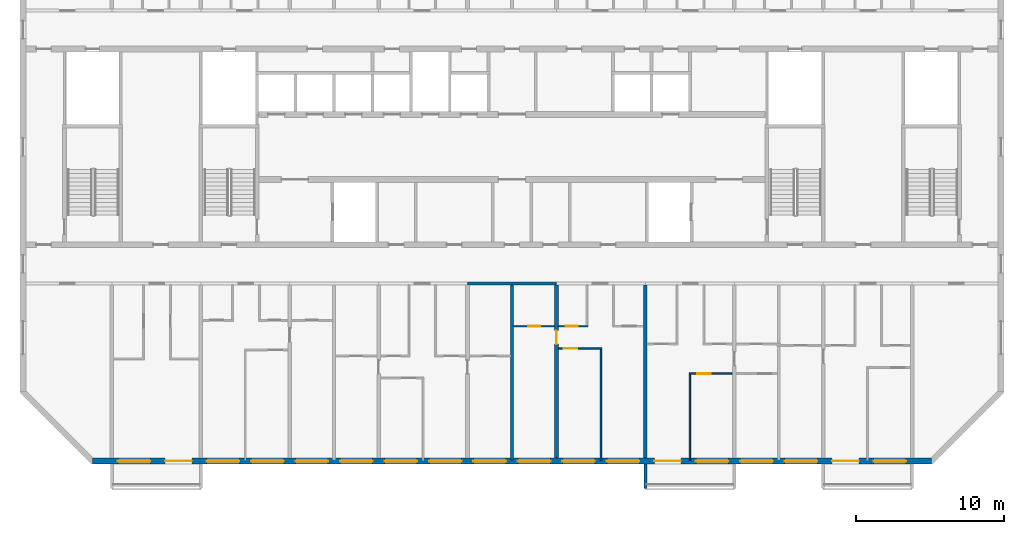
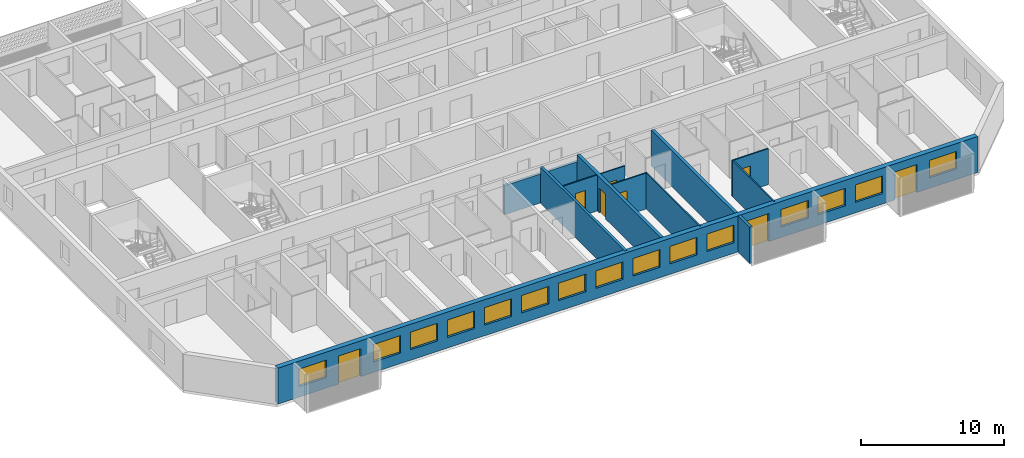
# One storey, part 4 of 28: 15 windows, 12 walls, 8 doors, 23 openings.
"""IFC4 building model written with IfcOpenShell, lengths in metres."""

from ifc_helpers import new_model, si_unit, direction, frame, frame_2d, origin, place, context, subcontext, project, spatial, polyline, rectangle, outline, extrude, source, transform, mapped, material, layer, layer_set, type_object, element, fill, save


model = new_model("IFC4")

# Units and contexts
model_context = context("Model", 3, precision=1e-05, world=origin(), true_north=direction((0.0, 1.0)))
body_context = subcontext(model_context, "Body", "Model", "MODEL_VIEW")
ifc_project = project(units=[si_unit("LENGTHUNIT", "METRE"), si_unit("AREAUNIT", "SQUARE_METRE"), si_unit("VOLUMEUNIT", "CUBIC_METRE"), si_unit("PLANEANGLEUNIT", "RADIAN"), si_unit("MASSUNIT", "GRAM", prefix="KILO")], contexts=[model_context])

# Site, building, storey
site_placement = place(None, origin())
site = spatial("IfcSite", under=ifc_project, at=site_placement, CompositionType="ELEMENT")
building_placement = place(site_placement, origin())
building = spatial("IfcBuilding", under=site, at=building_placement, Name="Poui Terraces", CompositionType="ELEMENT")
storey_placement = place(building_placement, frame((0.0, 0.0, 181.800048828125)))
storey = spatial("IfcBuildingStorey", under=building, at=storey_placement, Name="L50", CompositionType="ELEMENT", Elevation=181.800048828125)

# Wall
ifc_material_1 = material(Name="Concrete 50 MPa", Category="concrete")
ifc_layer_1 = layer(ifc_material_1, 0.199951171875)
ifc_layer_set_1 = layer_set([ifc_layer_1], Name="Concrete 50 MPa")
wall_type_1 = type_object("IfcWallType", Name="CORRIDOR WALL 200 50MPa", PredefinedType="SHEAR", material=ifc_layer_set_1)
wall_1_placement = place(storey_placement, frame((48.0, 12.0, 0.0), z_axis=(0.0, 0.0, 1.0), x_axis=(1.0, 0.0, 0.0)))
element("IfcWall", 1, at=wall_1_placement, inside=storey, type_object=wall_type_1, Name="CORRIDOR WALL LINE B BAY 6", PredefinedType="SHEAR", context=body_context, shape_type="SweptSolid", body=[
    extrude(rectangle(XDim=6.0, YDim=0.199951171875, at=frame_2d((3.0, 0.0))), origin(), (0.0, 0.0, 1.0), 2.47998046875),
])

# Wall, opening, door
ifc_layer_2 = layer(ifc_material_1, 0.25)
ifc_layer_set_2 = layer_set([ifc_layer_2], Name="Concrete 50 MPa")
wall_type_2 = type_object("IfcWallType", Name="CROSS WALL 250 50MPa", PredefinedType="SHEAR", material=ifc_layer_set_2)
wall_2_placement = place(storey_placement, frame((54.0, 0.199951171875, 0.0), z_axis=(0.0, 0.0, 1.0), x_axis=(0.0, 1.0, 0.0)))
wall_2 = element("IfcWall", 2, at=wall_2_placement, inside=storey, type_object=wall_type_2, Name="CROSS WALL LINE 10 SOUTH", PredefinedType="SHEAR", context=body_context, shape_type="SweptSolid", body=[
    extrude(rectangle(XDim=11.699951171875, YDim=0.25, at=frame_2d((5.85009765625, 0.0))), origin(), (0.0, 0.0, 1.0), 3.079833984375),
])
opening_1_placement = place(wall_2_placement, frame((7.699951171875, 0.0, 0.0)))
opening_1 = element("IfcOpeningElement", 3, at=opening_1_placement, cuts=wall_2, Name="Opening D90", PredefinedType="OPENING", context=body_context, shape_type="SweptSolid", body=[
    extrude(rectangle(XDim=0.89990234375, YDim=2.10009765625, at=frame_2d((0.449951171875, 1.050048828125))), frame((0.0, 0.135009765625, 0.0), z_axis=(0.0, -1.0, 0.0), x_axis=(1.0, 0.0, 0.0)), (0.0, 0.0, 1.0), 0.27001953125),
])
ifc_material_2 = material(Name="Solid core timber door", Category="wood")
door_type_1 = type_object("IfcDoorType", Name="INTERNAL DOOR 900 X 2100", OperationType="NOTDEFINED", PredefinedType="DOOR", material=ifc_material_2)
door_1_placement = place(opening_1_placement, origin())
door_1 = element("IfcDoor", 4, at=door_1_placement, inside=storey, type_object=door_type_1, Name="INTERNAL DOOR 083", OperationType="SINGLE_SWING_RIGHT", OverallHeight=2.10009765625, OverallWidth=0.89990234375, PredefinedType="DOOR", context=body_context, shape_type="SweptSolid", body=[
    extrude(rectangle(XDim=0.89990234375, YDim=2.10009765625, at=frame_2d((0.449951171875, 1.050048828125))), frame((0.0, 0.02490234375, 0.0), z_axis=(0.0, -1.0, 0.0), x_axis=(1.0, 0.0, 0.0)), (0.0, 0.0, 1.0), 0.050048828125),
])
fill(opening_1, door_1)

# Wall
wall_3_placement = place(storey_placement, frame((60.0, 0.199951171875, 0.0), z_axis=(0.0, 0.0, 1.0), x_axis=(0.0, 1.0, 0.0)))
element("IfcWall", 5, at=wall_3_placement, inside=storey, type_object=wall_type_2, Name="CROSS WALL LINE 11 SOUTH", PredefinedType="SHEAR", context=body_context, shape_type="SweptSolid", body=[
    extrude(rectangle(XDim=11.699951171875, YDim=0.25, at=frame_2d((5.85009765625, 0.0))), origin(), (0.0, 0.0, 1.0), 3.079833984375),
])

# Wall, openings, doors, windows
ifc_material_3 = material(Name="Precast concrete 40 MPa", Category="concrete")
ifc_layer_3 = layer(ifc_material_3, 0.39990234375)
ifc_layer_set_3 = layer_set([ifc_layer_3], Name="Precast concrete 40 MPa")
wall_type_3 = type_object("IfcWallType", Name="EXTERNAL WALL 400", PredefinedType="STANDARD", material=ifc_layer_set_3)
wall_4_placement = place(storey_placement, frame((22.682861328125, 0.0, 0.0), z_axis=(0.0, 0.0, 1.0), x_axis=(1.0, 0.0, 0.0)))
wall_4 = element("IfcWall", 6, at=wall_4_placement, inside=storey, type_object=wall_type_3, Name="EXTERNAL WALL S", PredefinedType="STANDARD", context=body_context, shape_type="SweptSolid", body=[
    extrude(rectangle(XDim=56.63427734375, YDim=0.39990234375, at=frame_2d((28.317138671875, 0.0))), origin(), (0.0, 0.0, 1.0), 3.079833984375),
])
opening_2_placement = place(wall_4_placement, frame((1.71728515625, 0.0, 0.89990234375)))
opening_2 = element("IfcOpeningElement", 7, at=opening_2_placement, cuts=wall_4, Name="Opening W1", PredefinedType="OPENING", context=body_context, shape_type="SweptSolid", body=[
    extrude(rectangle(XDim=2.199951171875, YDim=1.5, at=frame_2d((1.10009765625, 0.75))), frame((0.0, 0.2099609375, 0.0), z_axis=(0.0, -1.0, 0.0), x_axis=(1.0, 0.0, 0.0)), (0.0, 0.0, 1.0), 0.419921875),
])
opening_3_placement = place(wall_4_placement, frame((4.917236328125, 0.0, 0.0)))
opening_3 = element("IfcOpeningElement", 8, at=opening_3_placement, cuts=wall_4, Name="Opening BD1", PredefinedType="OPENING", context=body_context, shape_type="SweptSolid", body=[
    extrude(rectangle(XDim=1.800048828125, YDim=2.39990234375, at=frame_2d((0.89990234375, 1.199951171875))), frame((0.0, 0.2099609375, 0.0), z_axis=(0.0, -1.0, 0.0), x_axis=(1.0, 0.0, 0.0)), (0.0, 0.0, 1.0), 0.419921875),
])
opening_4_placement = place(wall_4_placement, frame((7.71728515625, 0.0, 0.89990234375)))
opening_4 = element("IfcOpeningElement", 9, at=opening_4_placement, cuts=wall_4, Name="Opening W1", PredefinedType="OPENING", context=body_context, shape_type="SweptSolid", body=[
    extrude(rectangle(XDim=2.199951171875, YDim=1.5, at=frame_2d((1.10009765625, 0.75))), frame((0.0, 0.2099609375, 0.0), z_axis=(0.0, -1.0, 0.0), x_axis=(1.0, 0.0, 0.0)), (0.0, 0.0, 1.0), 0.419921875),
])
opening_5_placement = place(wall_4_placement, frame((10.71728515625, 0.0, 0.89990234375)))
opening_5 = element("IfcOpeningElement", 10, at=opening_5_placement, cuts=wall_4, Name="Opening W1", PredefinedType="OPENING", context=body_context, shape_type="SweptSolid", body=[
    extrude(rectangle(XDim=2.199951171875, YDim=1.5, at=frame_2d((1.10009765625, 0.75))), frame((0.0, 0.2099609375, 0.0), z_axis=(0.0, -1.0, 0.0), x_axis=(1.0, 0.0, 0.0)), (0.0, 0.0, 1.0), 0.419921875),
])
opening_6_placement = place(wall_4_placement, frame((13.71728515625, 0.0, 0.89990234375)))
opening_6 = element("IfcOpeningElement", 11, at=opening_6_placement, cuts=wall_4, Name="Opening W1", PredefinedType="OPENING", context=body_context, shape_type="SweptSolid", body=[
    extrude(rectangle(XDim=2.199951171875, YDim=1.5, at=frame_2d((1.10009765625, 0.75))), frame((0.0, 0.2099609375, 0.0), z_axis=(0.0, -1.0, 0.0), x_axis=(1.0, 0.0, 0.0)), (0.0, 0.0, 1.0), 0.419921875),
])
opening_7_placement = place(wall_4_placement, frame((16.71728515625, 0.0, 0.89990234375)))
opening_7 = element("IfcOpeningElement", 12, at=opening_7_placement, cuts=wall_4, Name="Opening W1", PredefinedType="OPENING", context=body_context, shape_type="SweptSolid", body=[
    extrude(rectangle(XDim=2.199951171875, YDim=1.5, at=frame_2d((1.10009765625, 0.75))), frame((0.0, 0.2099609375, 0.0), z_axis=(0.0, -1.0, 0.0), x_axis=(1.0, 0.0, 0.0)), (0.0, 0.0, 1.0), 0.419921875),
])
opening_8_placement = place(wall_4_placement, frame((19.71728515625, 0.0, 0.89990234375)))
opening_8 = element("IfcOpeningElement", 13, at=opening_8_placement, cuts=wall_4, Name="Opening W1", PredefinedType="OPENING", context=body_context, shape_type="SweptSolid", body=[
    extrude(rectangle(XDim=2.199951171875, YDim=1.5, at=frame_2d((1.10009765625, 0.75))), frame((0.0, 0.2099609375, 0.0), z_axis=(0.0, -1.0, 0.0), x_axis=(1.0, 0.0, 0.0)), (0.0, 0.0, 1.0), 0.419921875),
])
opening_9_placement = place(wall_4_placement, frame((22.71728515625, 0.0, 0.89990234375)))
opening_9 = element("IfcOpeningElement", 14, at=opening_9_placement, cuts=wall_4, Name="Opening W1", PredefinedType="OPENING", context=body_context, shape_type="SweptSolid", body=[
    extrude(rectangle(XDim=2.199951171875, YDim=1.5, at=frame_2d((1.10009765625, 0.75))), frame((0.0, 0.2099609375, 0.0), z_axis=(0.0, -1.0, 0.0), x_axis=(1.0, 0.0, 0.0)), (0.0, 0.0, 1.0), 0.419921875),
])
opening_10_placement = place(wall_4_placement, frame((25.71728515625, 0.0, 0.89990234375)))
opening_10 = element("IfcOpeningElement", 15, at=opening_10_placement, cuts=wall_4, Name="Opening W1", PredefinedType="OPENING", context=body_context, shape_type="SweptSolid", body=[
    extrude(rectangle(XDim=2.199951171875, YDim=1.5, at=frame_2d((1.10009765625, 0.75))), frame((0.0, 0.2099609375, 0.0), z_axis=(0.0, -1.0, 0.0), x_axis=(1.0, 0.0, 0.0)), (0.0, 0.0, 1.0), 0.419921875),
])
opening_11_placement = place(wall_4_placement, frame((28.71728515625, 0.0, 0.89990234375)))
opening_11 = element("IfcOpeningElement", 16, at=opening_11_placement, cuts=wall_4, Name="Opening W1", PredefinedType="OPENING", context=body_context, shape_type="SweptSolid", body=[
    extrude(rectangle(XDim=2.199951171875, YDim=1.5, at=frame_2d((1.10009765625, 0.75))), frame((0.0, 0.2099609375, 0.0), z_axis=(0.0, -1.0, 0.0), x_axis=(1.0, 0.0, 0.0)), (0.0, 0.0, 1.0), 0.419921875),
])
opening_12_placement = place(wall_4_placement, frame((31.71728515625, 0.0, 0.89990234375)))
opening_12 = element("IfcOpeningElement", 17, at=opening_12_placement, cuts=wall_4, Name="Opening W1", PredefinedType="OPENING", context=body_context, shape_type="SweptSolid", body=[
    extrude(rectangle(XDim=2.199951171875, YDim=1.5, at=frame_2d((1.10009765625, 0.75))), frame((0.0, 0.2099609375, 0.0), z_axis=(0.0, -1.0, 0.0), x_axis=(1.0, 0.0, 0.0)), (0.0, 0.0, 1.0), 0.419921875),
])
opening_13_placement = place(wall_4_placement, frame((34.71728515625, 0.0, 0.89990234375)))
opening_13 = element("IfcOpeningElement", 18, at=opening_13_placement, cuts=wall_4, Name="Opening W1", PredefinedType="OPENING", context=body_context, shape_type="SweptSolid", body=[
    extrude(rectangle(XDim=2.199951171875, YDim=1.5, at=frame_2d((1.10009765625, 0.75))), frame((0.0, 0.2099609375, 0.0), z_axis=(0.0, -1.0, 0.0), x_axis=(1.0, 0.0, 0.0)), (0.0, 0.0, 1.0), 0.419921875),
])
opening_14_placement = place(wall_4_placement, frame((37.917236328125, 0.0, 0.0)))
opening_14 = element("IfcOpeningElement", 19, at=opening_14_placement, cuts=wall_4, Name="Opening BD1", PredefinedType="OPENING", context=body_context, shape_type="SweptSolid", body=[
    extrude(rectangle(XDim=1.800048828125, YDim=2.39990234375, at=frame_2d((0.89990234375, 1.199951171875))), frame((0.0, 0.2099609375, 0.0), z_axis=(0.0, -1.0, 0.0), x_axis=(1.0, 0.0, 0.0)), (0.0, 0.0, 1.0), 0.419921875),
])
opening_15_placement = place(wall_4_placement, frame((40.71728515625, 0.0, 0.89990234375)))
opening_15 = element("IfcOpeningElement", 20, at=opening_15_placement, cuts=wall_4, Name="Opening W1", PredefinedType="OPENING", context=body_context, shape_type="SweptSolid", body=[
    extrude(rectangle(XDim=2.199951171875, YDim=1.5, at=frame_2d((1.10009765625, 0.75))), frame((0.0, 0.2099609375, 0.0), z_axis=(0.0, -1.0, 0.0), x_axis=(1.0, 0.0, 0.0)), (0.0, 0.0, 1.0), 0.419921875),
])
opening_16_placement = place(wall_4_placement, frame((43.71728515625, 0.0, 0.89990234375)))
opening_16 = element("IfcOpeningElement", 21, at=opening_16_placement, cuts=wall_4, Name="Opening W1", PredefinedType="OPENING", context=body_context, shape_type="SweptSolid", body=[
    extrude(rectangle(XDim=2.199951171875, YDim=1.5, at=frame_2d((1.10009765625, 0.75))), frame((0.0, 0.2099609375, 0.0), z_axis=(0.0, -1.0, 0.0), x_axis=(1.0, 0.0, 0.0)), (0.0, 0.0, 1.0), 0.419921875),
])
opening_17_placement = place(wall_4_placement, frame((46.71728515625, 0.0, 0.89990234375)))
opening_17 = element("IfcOpeningElement", 22, at=opening_17_placement, cuts=wall_4, Name="Opening W1", PredefinedType="OPENING", context=body_context, shape_type="SweptSolid", body=[
    extrude(rectangle(XDim=2.199951171875, YDim=1.5, at=frame_2d((1.10009765625, 0.75))), frame((0.0, 0.2099609375, 0.0), z_axis=(0.0, -1.0, 0.0), x_axis=(1.0, 0.0, 0.0)), (0.0, 0.0, 1.0), 0.419921875),
])
opening_18_placement = place(wall_4_placement, frame((49.917236328125, 0.0, 0.0)))
opening_18 = element("IfcOpeningElement", 23, at=opening_18_placement, cuts=wall_4, Name="Opening BD1", PredefinedType="OPENING", context=body_context, shape_type="SweptSolid", body=[
    extrude(rectangle(XDim=1.800048828125, YDim=2.39990234375, at=frame_2d((0.89990234375, 1.199951171875))), frame((0.0, 0.2099609375, 0.0), z_axis=(0.0, -1.0, 0.0), x_axis=(1.0, 0.0, 0.0)), (0.0, 0.0, 1.0), 0.419921875),
])
opening_19_placement = place(wall_4_placement, frame((52.71728515625, 0.0, 0.89990234375)))
opening_19 = element("IfcOpeningElement", 24, at=opening_19_placement, cuts=wall_4, Name="Opening W1", PredefinedType="OPENING", context=body_context, shape_type="SweptSolid", body=[
    extrude(rectangle(XDim=2.199951171875, YDim=1.5, at=frame_2d((1.10009765625, 0.75))), frame((0.0, 0.2099609375, 0.0), z_axis=(0.0, -1.0, 0.0), x_axis=(1.0, 0.0, 0.0)), (0.0, 0.0, 1.0), 0.419921875),
])
ifc_material_4 = material(Name="Clear glass in aluminium frame", Category="aluminium")
door_type_2 = type_object("IfcDoorType", Name="BALCONY DOOR 1800X2400", OperationType="DOUBLE_DOOR_SLIDING", PredefinedType="DOOR", material=ifc_material_4)
door_2_placement = place(opening_3_placement, origin())
door_2 = element("IfcDoor", 25, at=door_2_placement, inside=storey, type_object=door_type_2, Name="BD1 BALCONY DOOR", OperationType="DOUBLE_DOOR_SLIDING", OverallHeight=2.39990234375, OverallWidth=1.800048828125, PredefinedType="DOOR", context=body_context, shape_type="SweptSolid", body=[
    extrude(rectangle(XDim=1.800048828125, YDim=2.39990234375, at=frame_2d((0.89990234375, 1.199951171875))), frame((0.0, 0.02490234375, 0.0), z_axis=(0.0, -1.0, 0.0), x_axis=(1.0, 0.0, 0.0)), (0.0, 0.0, 1.0), 0.050048828125),
])
fill(opening_3, door_2)
door_3_placement = place(opening_14_placement, origin())
door_3 = element("IfcDoor", 26, at=door_3_placement, inside=storey, type_object=door_type_2, Name="BD1 BALCONY DOOR", OperationType="DOUBLE_DOOR_SLIDING", OverallHeight=2.39990234375, OverallWidth=1.800048828125, PredefinedType="DOOR", context=body_context, shape_type="SweptSolid", body=[
    extrude(rectangle(XDim=1.800048828125, YDim=2.39990234375, at=frame_2d((0.89990234375, 1.199951171875))), frame((0.0, 0.02490234375, 0.0), z_axis=(0.0, -1.0, 0.0), x_axis=(1.0, 0.0, 0.0)), (0.0, 0.0, 1.0), 0.050048828125),
])
fill(opening_14, door_3)
door_4_placement = place(opening_18_placement, origin())
door_4 = element("IfcDoor", 27, at=door_4_placement, inside=storey, type_object=door_type_2, Name="BD1 BALCONY DOOR", OperationType="DOUBLE_DOOR_SLIDING", OverallHeight=2.39990234375, OverallWidth=1.800048828125, PredefinedType="DOOR", context=body_context, shape_type="SweptSolid", body=[
    extrude(rectangle(XDim=1.800048828125, YDim=2.39990234375, at=frame_2d((0.89990234375, 1.199951171875))), frame((0.0, 0.02490234375, 0.0), z_axis=(0.0, -1.0, 0.0), x_axis=(1.0, 0.0, 0.0)), (0.0, 0.0, 1.0), 0.050048828125),
])
fill(opening_18, door_4)
window_type = type_object("IfcWindowType", Name="WINDOW 2200X1500", PartitioningType="DOUBLE_PANEL_HORIZONTAL", PredefinedType="WINDOW", material=ifc_material_4)
window_1_placement = place(opening_2_placement, origin())
window_1 = element("IfcWindow", 28, at=window_1_placement, inside=storey, type_object=window_type, Name="W1 WINDOW", OverallHeight=1.5, OverallWidth=2.199951171875, PartitioningType="DOUBLE_PANEL_HORIZONTAL", PredefinedType="WINDOW", context=body_context, shape_type="SweptSolid", body=[
    extrude(rectangle(XDim=2.199951171875, YDim=1.5, at=frame_2d((1.10009765625, 0.75))), frame((0.0, 0.030029296875, 0.0), z_axis=(0.0, -1.0, 0.0), x_axis=(1.0, 0.0, 0.0)), (0.0, 0.0, 1.0), 0.06005859375),
])
fill(opening_2, window_1)
window_2_placement = place(opening_4_placement, origin())
window_2 = element("IfcWindow", 29, at=window_2_placement, inside=storey, type_object=window_type, Name="W1 WINDOW", OverallHeight=1.5, OverallWidth=2.199951171875, PartitioningType="DOUBLE_PANEL_HORIZONTAL", PredefinedType="WINDOW", context=body_context, shape_type="SweptSolid", body=[
    extrude(rectangle(XDim=2.199951171875, YDim=1.5, at=frame_2d((1.10009765625, 0.75))), frame((0.0, 0.030029296875, 0.0), z_axis=(0.0, -1.0, 0.0), x_axis=(1.0, 0.0, 0.0)), (0.0, 0.0, 1.0), 0.06005859375),
])
fill(opening_4, window_2)
window_3_placement = place(opening_5_placement, origin())
window_3 = element("IfcWindow", 30, at=window_3_placement, inside=storey, type_object=window_type, Name="W1 WINDOW", OverallHeight=1.5, OverallWidth=2.199951171875, PartitioningType="DOUBLE_PANEL_HORIZONTAL", PredefinedType="WINDOW", context=body_context, shape_type="SweptSolid", body=[
    extrude(rectangle(XDim=2.199951171875, YDim=1.5, at=frame_2d((1.10009765625, 0.75))), frame((0.0, 0.030029296875, 0.0), z_axis=(0.0, -1.0, 0.0), x_axis=(1.0, 0.0, 0.0)), (0.0, 0.0, 1.0), 0.06005859375),
])
fill(opening_5, window_3)
window_4_placement = place(opening_6_placement, origin())
window_4 = element("IfcWindow", 31, at=window_4_placement, inside=storey, type_object=window_type, Name="W1 WINDOW", OverallHeight=1.5, OverallWidth=2.199951171875, PartitioningType="DOUBLE_PANEL_HORIZONTAL", PredefinedType="WINDOW", context=body_context, shape_type="SweptSolid", body=[
    extrude(rectangle(XDim=2.199951171875, YDim=1.5, at=frame_2d((1.10009765625, 0.75))), frame((0.0, 0.030029296875, 0.0), z_axis=(0.0, -1.0, 0.0), x_axis=(1.0, 0.0, 0.0)), (0.0, 0.0, 1.0), 0.06005859375),
])
fill(opening_6, window_4)
window_5_placement = place(opening_7_placement, origin())
window_5 = element("IfcWindow", 32, at=window_5_placement, inside=storey, type_object=window_type, Name="W1 WINDOW", OverallHeight=1.5, OverallWidth=2.199951171875, PartitioningType="DOUBLE_PANEL_HORIZONTAL", PredefinedType="WINDOW", context=body_context, shape_type="SweptSolid", body=[
    extrude(rectangle(XDim=2.199951171875, YDim=1.5, at=frame_2d((1.10009765625, 0.75))), frame((0.0, 0.030029296875, 0.0), z_axis=(0.0, -1.0, 0.0), x_axis=(1.0, 0.0, 0.0)), (0.0, 0.0, 1.0), 0.06005859375),
])
fill(opening_7, window_5)
window_6_placement = place(opening_8_placement, origin())
window_6 = element("IfcWindow", 33, at=window_6_placement, inside=storey, type_object=window_type, Name="W1 WINDOW", OverallHeight=1.5, OverallWidth=2.199951171875, PartitioningType="DOUBLE_PANEL_HORIZONTAL", PredefinedType="WINDOW", context=body_context, shape_type="SweptSolid", body=[
    extrude(rectangle(XDim=2.199951171875, YDim=1.5, at=frame_2d((1.10009765625, 0.75))), frame((0.0, 0.030029296875, 0.0), z_axis=(0.0, -1.0, 0.0), x_axis=(1.0, 0.0, 0.0)), (0.0, 0.0, 1.0), 0.06005859375),
])
fill(opening_8, window_6)
window_7_placement = place(opening_9_placement, origin())
window_7 = element("IfcWindow", 34, at=window_7_placement, inside=storey, type_object=window_type, Name="W1 WINDOW", OverallHeight=1.5, OverallWidth=2.199951171875, PartitioningType="DOUBLE_PANEL_HORIZONTAL", PredefinedType="WINDOW", context=body_context, shape_type="SweptSolid", body=[
    extrude(rectangle(XDim=2.199951171875, YDim=1.5, at=frame_2d((1.10009765625, 0.75))), frame((0.0, 0.030029296875, 0.0), z_axis=(0.0, -1.0, 0.0), x_axis=(1.0, 0.0, 0.0)), (0.0, 0.0, 1.0), 0.06005859375),
])
fill(opening_9, window_7)
window_8_placement = place(opening_10_placement, origin())
window_8 = element("IfcWindow", 35, at=window_8_placement, inside=storey, type_object=window_type, Name="W1 WINDOW", OverallHeight=1.5, OverallWidth=2.199951171875, PartitioningType="DOUBLE_PANEL_HORIZONTAL", PredefinedType="WINDOW", context=body_context, shape_type="SweptSolid", body=[
    extrude(rectangle(XDim=2.199951171875, YDim=1.5, at=frame_2d((1.10009765625, 0.75))), frame((0.0, 0.030029296875, 0.0), z_axis=(0.0, -1.0, 0.0), x_axis=(1.0, 0.0, 0.0)), (0.0, 0.0, 1.0), 0.06005859375),
])
fill(opening_10, window_8)
window_9_placement = place(opening_11_placement, origin())
window_9 = element("IfcWindow", 36, at=window_9_placement, inside=storey, type_object=window_type, Name="W1 WINDOW", OverallHeight=1.5, OverallWidth=2.199951171875, PartitioningType="DOUBLE_PANEL_HORIZONTAL", PredefinedType="WINDOW", context=body_context, shape_type="SweptSolid", body=[
    extrude(rectangle(XDim=2.199951171875, YDim=1.5, at=frame_2d((1.10009765625, 0.75))), frame((0.0, 0.030029296875, 0.0), z_axis=(0.0, -1.0, 0.0), x_axis=(1.0, 0.0, 0.0)), (0.0, 0.0, 1.0), 0.06005859375),
])
fill(opening_11, window_9)
window_10_placement = place(opening_12_placement, origin())
window_10 = element("IfcWindow", 37, at=window_10_placement, inside=storey, type_object=window_type, Name="W1 WINDOW", OverallHeight=1.5, OverallWidth=2.199951171875, PartitioningType="DOUBLE_PANEL_HORIZONTAL", PredefinedType="WINDOW", context=body_context, shape_type="SweptSolid", body=[
    extrude(rectangle(XDim=2.199951171875, YDim=1.5, at=frame_2d((1.10009765625, 0.75))), frame((0.0, 0.030029296875, 0.0), z_axis=(0.0, -1.0, 0.0), x_axis=(1.0, 0.0, 0.0)), (0.0, 0.0, 1.0), 0.06005859375),
])
fill(opening_12, window_10)
window_11_placement = place(opening_13_placement, origin())
window_11 = element("IfcWindow", 38, at=window_11_placement, inside=storey, type_object=window_type, Name="W1 WINDOW", OverallHeight=1.5, OverallWidth=2.199951171875, PartitioningType="DOUBLE_PANEL_HORIZONTAL", PredefinedType="WINDOW", context=body_context, shape_type="SweptSolid", body=[
    extrude(rectangle(XDim=2.199951171875, YDim=1.5, at=frame_2d((1.10009765625, 0.75))), frame((0.0, 0.030029296875, 0.0), z_axis=(0.0, -1.0, 0.0), x_axis=(1.0, 0.0, 0.0)), (0.0, 0.0, 1.0), 0.06005859375),
])
fill(opening_13, window_11)
window_12_placement = place(opening_15_placement, origin())
window_12 = element("IfcWindow", 39, at=window_12_placement, inside=storey, type_object=window_type, Name="W1 WINDOW", OverallHeight=1.5, OverallWidth=2.199951171875, PartitioningType="DOUBLE_PANEL_HORIZONTAL", PredefinedType="WINDOW", context=body_context, shape_type="SweptSolid", body=[
    extrude(rectangle(XDim=2.199951171875, YDim=1.5, at=frame_2d((1.10009765625, 0.75))), frame((0.0, 0.030029296875, 0.0), z_axis=(0.0, -1.0, 0.0), x_axis=(1.0, 0.0, 0.0)), (0.0, 0.0, 1.0), 0.06005859375),
])
fill(opening_15, window_12)
window_13_placement = place(opening_16_placement, origin())
window_13 = element("IfcWindow", 40, at=window_13_placement, inside=storey, type_object=window_type, Name="W1 WINDOW", OverallHeight=1.5, OverallWidth=2.199951171875, PartitioningType="DOUBLE_PANEL_HORIZONTAL", PredefinedType="WINDOW", context=body_context, shape_type="SweptSolid", body=[
    extrude(rectangle(XDim=2.199951171875, YDim=1.5, at=frame_2d((1.10009765625, 0.75))), frame((0.0, 0.030029296875, 0.0), z_axis=(0.0, -1.0, 0.0), x_axis=(1.0, 0.0, 0.0)), (0.0, 0.0, 1.0), 0.06005859375),
])
fill(opening_16, window_13)
window_14_placement = place(opening_17_placement, origin())
window_14 = element("IfcWindow", 41, at=window_14_placement, inside=storey, type_object=window_type, Name="W1 WINDOW", OverallHeight=1.5, OverallWidth=2.199951171875, PartitioningType="DOUBLE_PANEL_HORIZONTAL", PredefinedType="WINDOW", context=body_context, shape_type="SweptSolid", body=[
    extrude(rectangle(XDim=2.199951171875, YDim=1.5, at=frame_2d((1.10009765625, 0.75))), frame((0.0, 0.030029296875, 0.0), z_axis=(0.0, -1.0, 0.0), x_axis=(1.0, 0.0, 0.0)), (0.0, 0.0, 1.0), 0.06005859375),
])
fill(opening_17, window_14)
window_15_placement = place(opening_19_placement, origin())
window_15 = element("IfcWindow", 42, at=window_15_placement, inside=storey, type_object=window_type, Name="W1 WINDOW", OverallHeight=1.5, OverallWidth=2.199951171875, PartitioningType="DOUBLE_PANEL_HORIZONTAL", PredefinedType="WINDOW", context=body_context, shape_type="SweptSolid", body=[
    extrude(rectangle(XDim=2.199951171875, YDim=1.5, at=frame_2d((1.10009765625, 0.75))), frame((0.0, 0.030029296875, 0.0), z_axis=(0.0, -1.0, 0.0), x_axis=(1.0, 0.0, 0.0)), (0.0, 0.0, 1.0), 0.06005859375),
])
fill(opening_19, window_15)

# Wall, opening, door
ifc_material_5 = material(Name="Plasterboard partition")
ifc_layer_4 = layer(ifc_material_5, 0.10009765625)
ifc_layer_set_4 = layer_set([ifc_layer_4], Name="Plasterboard partition")
wall_type_4 = type_object("IfcWallType", Name="FLAT PARTITION 100", PredefinedType="PARTITIONING", material=ifc_layer_set_4)
wall_5_placement = place(storey_placement, frame((62.949951171875, 5.89990234375, 0.0), z_axis=(0.0, 0.0, 1.0), x_axis=(1.0, 0.0, 0.0)))
wall_5 = element("IfcWall", 43, at=wall_5_placement, inside=storey, type_object=wall_type_4, Name="FLAT PARTITION 100", PredefinedType="PARTITIONING", context=body_context, shape_type="SweptSolid", body=[
    extrude(rectangle(XDim=2.9150390625, YDim=0.10009765625, at=frame_2d((1.45751953125, 0.0))), origin(), (0.0, 0.0, 1.0), 3.079833984375),
])
opening_20_placement = place(wall_5_placement, frame((0.550048828125, 0.0, 0.0)))
opening_20 = element("IfcOpeningElement", 44, at=opening_20_placement, cuts=wall_5, Name="Opening D90", PredefinedType="OPENING", context=body_context, shape_type="SweptSolid", body=[
    extrude(rectangle(XDim=0.89990234375, YDim=2.10009765625, at=frame_2d((0.449951171875, 1.050048828125))), frame((0.0, 0.06005859375, 0.0), z_axis=(0.0, -1.0, 0.0), x_axis=(1.0, 0.0, 0.0)), (0.0, 0.0, 1.0), 0.1201171875),
])
door_5_placement = place(opening_20_placement, origin())
door_5 = element("IfcDoor", 45, at=door_5_placement, inside=storey, type_object=door_type_1, Name="INTERNAL DOOR 092", OperationType="SINGLE_SWING_RIGHT", OverallHeight=2.10009765625, OverallWidth=0.89990234375, PredefinedType="DOOR", context=body_context, shape_type="SweptSolid", body=[
    extrude(rectangle(XDim=0.89990234375, YDim=2.10009765625, at=frame_2d((0.449951171875, 1.050048828125))), frame((0.0, 0.02490234375, 0.0), z_axis=(0.0, -1.0, 0.0), x_axis=(1.0, 0.0, 0.0)), (0.0, 0.0, 1.0), 0.050048828125),
])
fill(opening_20, door_5)

wall_6_placement = place(storey_placement, frame((54.135009765625, 7.60009765625, 0.0), z_axis=(0.0, 0.0, 1.0), x_axis=(1.0, 0.0, 0.0)))
wall_6 = element("IfcWall", 46, at=wall_6_placement, inside=storey, type_object=wall_type_4, Name="FLAT PARTITION 100", PredefinedType="PARTITIONING", context=body_context, shape_type="SweptSolid", body=[
    extrude(rectangle(XDim=2.9150390625, YDim=0.10009765625, at=frame_2d((1.45751953125, 0.0))), origin(), (0.0, 0.0, 1.0), 3.079833984375),
])
opening_21_placement = place(wall_6_placement, frame((0.364990234375, 0.0, 0.0)))
opening_21 = element("IfcOpeningElement", 47, at=opening_21_placement, cuts=wall_6, Name="Opening D90", PredefinedType="OPENING", context=body_context, shape_type="SweptSolid", body=[
    extrude(rectangle(XDim=0.89990234375, YDim=2.10009765625, at=frame_2d((0.449951171875, 1.050048828125))), frame((0.0, 0.06005859375, 0.0), z_axis=(0.0, -1.0, 0.0), x_axis=(1.0, 0.0, 0.0)), (0.0, 0.0, 1.0), 0.1201171875),
])
door_6_placement = place(opening_21_placement, origin())
door_6 = element("IfcDoor", 48, at=door_6_placement, inside=storey, type_object=door_type_1, Name="INTERNAL DOOR 084", OperationType="SINGLE_SWING_RIGHT", OverallHeight=2.10009765625, OverallWidth=0.89990234375, PredefinedType="DOOR", context=body_context, shape_type="SweptSolid", body=[
    extrude(rectangle(XDim=0.89990234375, YDim=2.10009765625, at=frame_2d((0.449951171875, 1.050048828125))), frame((0.0, 0.02490234375, 0.0), z_axis=(0.0, -1.0, 0.0), x_axis=(1.0, 0.0, 0.0)), (0.0, 0.0, 1.0), 0.050048828125),
])
fill(opening_21, door_6)

wall_7_placement = place(storey_placement, frame((51.10009765625, 9.10009765625, 0.0), z_axis=(0.0, 0.0, 1.0), x_axis=(1.0, 0.0, 0.0)))
wall_7 = element("IfcWall", 49, at=wall_7_placement, inside=storey, type_object=wall_type_4, Name="FLAT PARTITION 100", PredefinedType="PARTITIONING", context=body_context, shape_type="SweptSolid", body=[
    extrude(rectangle(XDim=2.764892578125, YDim=0.10009765625, at=frame_2d((1.38232421875, 0.0))), origin(), (0.0, 0.0, 1.0), 3.079833984375),
])
opening_22_placement = place(wall_7_placement, frame((1.0, 0.0, 0.0)))
opening_22 = element("IfcOpeningElement", 50, at=opening_22_placement, cuts=wall_7, Name="Opening D80", PredefinedType="OPENING", context=body_context, shape_type="SweptSolid", body=[
    extrude(rectangle(XDim=0.800048828125, YDim=2.10009765625, at=frame_2d((0.39990234375, 1.050048828125))), frame((0.0, 0.06005859375, 0.0), z_axis=(0.0, -1.0, 0.0), x_axis=(1.0, 0.0, 0.0)), (0.0, 0.0, 1.0), 0.1201171875),
])
door_type_3 = type_object("IfcDoorType", Name="BATHROOM, LAUNDRY AND STORE DOOR 800 X 2100", OperationType="NOTDEFINED", PredefinedType="DOOR", material=ifc_material_2)
door_7_placement = place(opening_22_placement, origin())
door_7 = element("IfcDoor", 51, at=door_7_placement, inside=storey, type_object=door_type_3, Name="BATHROOM, LAUNDRY AND STORE DOOR 082", OperationType="SINGLE_SWING_LEFT", OverallHeight=2.10009765625, OverallWidth=0.800048828125, PredefinedType="DOOR", context=body_context, shape_type="SweptSolid", body=[
    extrude(rectangle(XDim=0.800048828125, YDim=2.10009765625, at=frame_2d((0.39990234375, 1.050048828125))), frame((0.0, 0.02490234375, 0.0), z_axis=(0.0, -1.0, 0.0), x_axis=(1.0, 0.0, 0.0)), (0.0, 0.0, 1.0), 0.050048828125),
])
fill(opening_22, door_7)

wall_8_placement = place(storey_placement, frame((54.135009765625, 9.10009765625, 0.0), z_axis=(0.0, 0.0, 1.0), x_axis=(1.0, 0.0, 0.0)))
wall_8 = element("IfcWall", 52, at=wall_8_placement, inside=storey, type_object=wall_type_4, Name="FLAT PARTITION 100", PredefinedType="PARTITIONING", context=body_context, shape_type="SweptSolid", body=[
    extrude(rectangle(XDim=1.965087890625, YDim=0.10009765625, at=frame_2d((0.982421875, 0.0))), origin(), (0.0, 0.0, 1.0), 3.079833984375),
])
opening_23_placement = place(wall_8_placement, frame((0.489990234375, 0.0, 0.0)))
opening_23 = element("IfcOpeningElement", 53, at=opening_23_placement, cuts=wall_8, Name="Opening D80", PredefinedType="OPENING", context=body_context, shape_type="SweptSolid", body=[
    extrude(rectangle(XDim=0.800048828125, YDim=2.10009765625, at=frame_2d((0.39990234375, 1.050048828125))), frame((0.0, 0.06005859375, 0.0), z_axis=(0.0, -1.0, 0.0), x_axis=(1.0, 0.0, 0.0)), (0.0, 0.0, 1.0), 0.1201171875),
])
door_8_placement = place(opening_23_placement, origin())
door_8 = element("IfcDoor", 54, at=door_8_placement, inside=storey, type_object=door_type_3, Name="BATHROOM, LAUNDRY AND STORE DOOR 085", OperationType="SINGLE_SWING_LEFT", OverallHeight=2.10009765625, OverallWidth=0.800048828125, PredefinedType="DOOR", context=body_context, shape_type="SweptSolid", body=[
    extrude(rectangle(XDim=0.800048828125, YDim=2.10009765625, at=frame_2d((0.39990234375, 1.050048828125))), frame((0.0, 0.02490234375, 0.0), z_axis=(0.0, -1.0, 0.0), x_axis=(1.0, 0.0, 0.0)), (0.0, 0.0, 1.0), 0.050048828125),
])
fill(opening_23, door_8)

# Walls
wall_9_placement = place(storey_placement, frame((57.0, 0.06005859375, 0.0), z_axis=(0.0, 0.0, 1.0), x_axis=(0.0, 1.0, 0.0)))
element("IfcWall", 55, at=wall_9_placement, inside=storey, type_object=wall_type_4, Name="FLAT PARTITION 100", PredefinedType="PARTITIONING", context=body_context, shape_type="SweptSolid", body=[
    extrude(rectangle(XDim=7.489990234375, YDim=0.10009765625, at=frame_2d((3.7451171875, 0.0))), origin(), (0.0, 0.0, 1.0), 3.079833984375),
])
wall_10_placement = place(storey_placement, frame((63.0, 0.06005859375, 0.0), z_axis=(0.0, 0.0, 1.0), x_axis=(0.0, 1.0, 0.0)))
element("IfcWall", 56, at=wall_10_placement, inside=storey, type_object=wall_type_4, Name="FLAT PARTITION 100", PredefinedType="PARTITIONING", context=body_context, shape_type="SweptSolid", body=[
    extrude(rectangle(XDim=5.7900390625, YDim=0.10009765625, at=frame_2d((2.89501953125, 0.0))), origin(), (0.0, 0.0, 1.0), 3.079833984375),
])
ifc_material_6 = material(Name="Fire-rated masonry wall", Category="masonry")
ifc_layer_5 = layer(ifc_material_6, 0.199951171875)
ifc_layer_set_5 = layer_set([ifc_layer_5], Name="Fire-rated masonry wall")
wall_type_5 = type_object("IfcWallType", Name="FLAT PARTY WALL 200", PredefinedType="PARTITIONING", material=ifc_layer_set_5)
wall_11_placement = place(storey_placement, frame((51.0, 0.06005859375, 0.0), z_axis=(0.0, 0.0, 1.0), x_axis=(0.0, 1.0, 0.0)))
element("IfcWall", 57, at=wall_11_placement, inside=storey, type_object=wall_type_5, Name="FLAT PARTY WALL 200", PredefinedType="PARTITIONING", context=body_context, shape_type="SweptSolid", body=[
    extrude(rectangle(XDim=11.829833984375, YDim=0.199951171875, at=frame_2d((5.9150390625, 0.0))), origin(), (0.0, 0.0, 1.0), 3.079833984375),
])
ifc_layer_6 = layer(ifc_material_3, 0.199951171875)
ifc_layer_set_6 = layer_set([ifc_layer_6], Name="Precast concrete 40 MPa")
wall_type_6 = type_object("IfcWallType", Name="REAR FIN 200", PredefinedType="STANDARD", material=ifc_layer_set_6)
shared_shape = source(origin(), body_context, "Body", "SweptSolid", [
    extrude(outline(polyline([(0.0, 0.0), (0.2001953125, 0.0), (0.2001953125, 1.650146484375), (0.0, 1.650146484375), (0.0, 0.0)])), origin(), (0.0, 0.0, 1.0), 3.099853515625),
])
wall_12_placement = place(storey_placement, frame((59.89990234375, -1.85009765625, 0.0)))
element("IfcWall", 58, at=wall_12_placement, inside=storey, type_object=wall_type_6, Name="REAR FIN", PredefinedType="STANDARD", context=body_context, shape_type="MappedRepresentation", body=[
    mapped(shared_shape, transform((0.0, 0.0, 0.0))),
])

save(model, "model.ifc")
